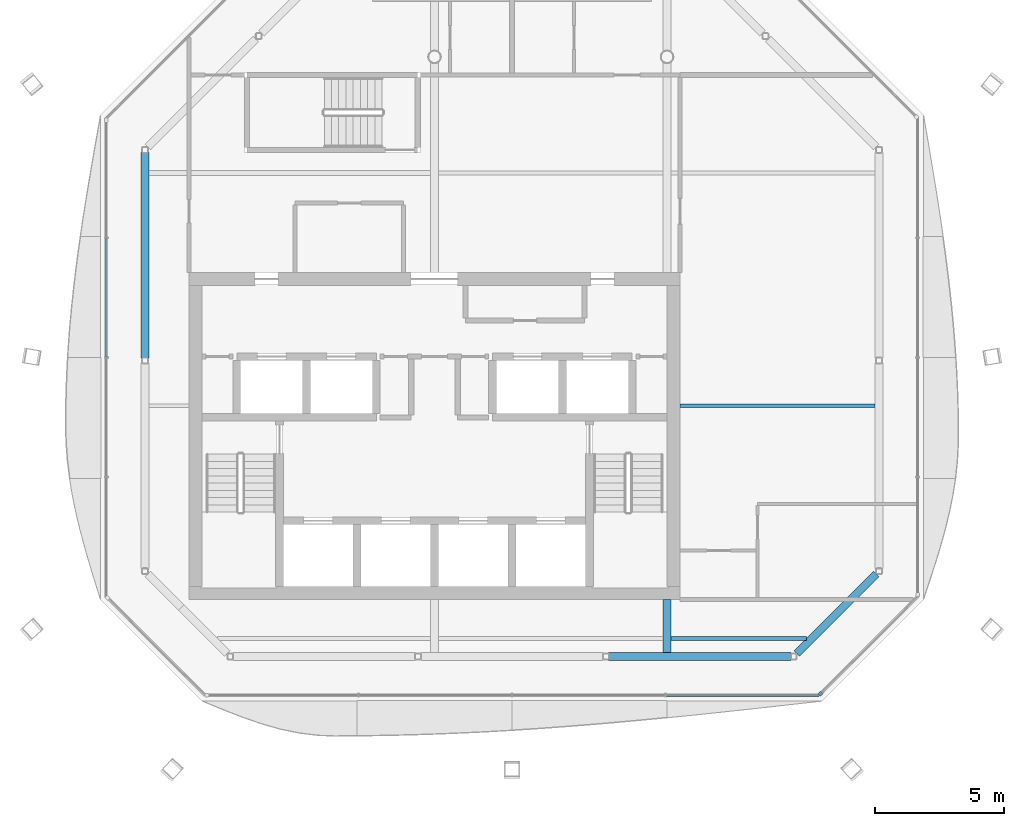
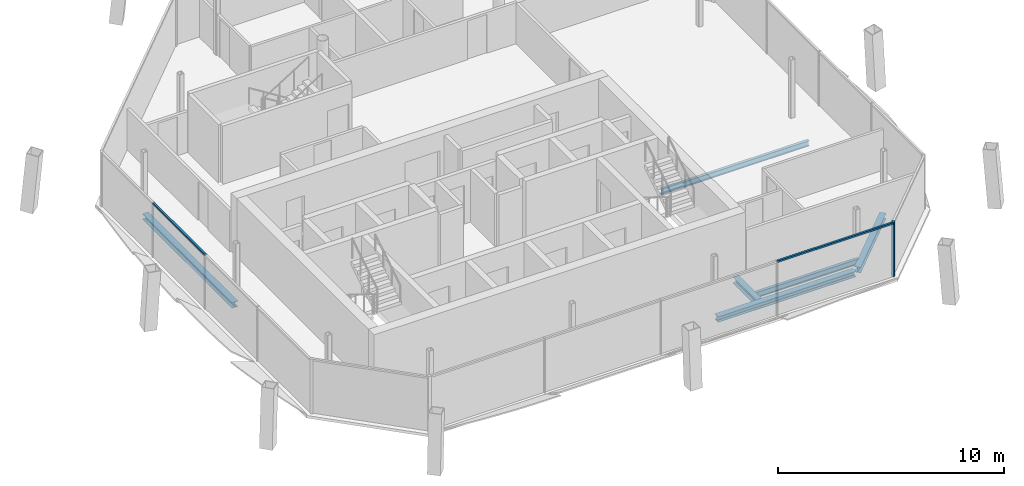
# One storey, part 4 of 13: 6 beams, 3 members, 3 elements without a shape of their own.
"""IFC4 building model written with IfcOpenShell, lengths in metres."""

from ifc_helpers import new_model, si_unit, direction, frame, origin, origin_2d, place, context, subcontext, project, spatial, rectangle, i_section, extrude, material, material_profile, profile_set, type_object, element, aggregate, save


model = new_model("IFC4")

# Units and contexts
model_context = context("Model", 3, precision=1e-05, world=origin(), true_north=direction((0.0, 1.0)))
body_context = subcontext(model_context, "Body", "Model", "MODEL_VIEW")
ifc_project = project(units=[si_unit("LENGTHUNIT", "METRE"), si_unit("AREAUNIT", "SQUARE_METRE"), si_unit("VOLUMEUNIT", "CUBIC_METRE"), si_unit("PLANEANGLEUNIT", "RADIAN"), si_unit("MASSUNIT", "GRAM", prefix="KILO")], contexts=[model_context])

# Site, building, storey
site_placement = place(None, origin())
site = spatial("IfcSite", under=ifc_project, at=site_placement, CompositionType="ELEMENT")
building_placement = place(site_placement, origin())
building = spatial("IfcBuilding", under=site, at=building_placement, Name="Tskaro Facet Tower", CompositionType="ELEMENT")
storey_placement = place(building_placement, frame((0.0, 0.0, 281.550048828125)))
storey = spatial("IfcBuildingStorey", under=building, at=storey_placement, Name="L75", CompositionType="ELEMENT", Elevation=281.550048828125)

# Curtain wall, member
ifc_material_1 = material(Name="Bronze anodised aluminium 6063-T6", Category="aluminium")
curtain_wall_type = type_object("IfcCurtainWallType", Name="Bronze residence curtain wall (FW3)", PredefinedType="NOTDEFINED", material=ifc_material_1)
curtain_wall_1_placement = place(storey_placement, origin())
curtain_wall_1 = element("IfcCurtainWall", 1, at=curtain_wall_1_placement, inside=storey, type_object=curtain_wall_type, Name="FW3 south-east facet L75", PredefinedType="NOTDEFINED")
ifc_material_profile_1 = material_profile(ifc_material_1, rectangle(XDim=0.139892578125, YDim=0.139892578125, at=origin_2d()), Name="Corner post 140x140")
ifc_profile_set_1 = profile_set([ifc_material_profile_1], Name="Bronze anodised aluminium 6063-T6")
member_type_1 = type_object("IfcMemberType", Name="FW3 bronze corner post 140x140", PredefinedType="MULLION", material=ifc_profile_set_1)
member_1_placement = place(storey_placement, frame((14.9365234375, -15.6484375, 0.0), z_axis=(0.0, 0.0, 1.0), x_axis=(0.707106781187, 0.707106781187, 0.0)))
member_1 = element("IfcMember", 2, at=member_1_placement, type_object=member_type_1, Name="FW3 south-east corner post", PredefinedType="MULLION", context=body_context, shape_type="SweptSolid", body=[
    extrude(rectangle(XDim=0.139892578125, YDim=0.139892578125, at=origin_2d()), origin(), (0.0, 0.0, 1.0), 2.949951171875),
])
aggregate(curtain_wall_1, [member_1])

curtain_wall_2_placement = place(storey_placement, origin())
curtain_wall_2 = element("IfcCurtainWall", 3, at=curtain_wall_2_placement, inside=storey, type_object=curtain_wall_type, Name="FW3 south facet L75", PredefinedType="NOTDEFINED")
ifc_material_profile_2 = material_profile(ifc_material_1, rectangle(XDim=0.10009765625, YDim=0.090087890625, at=origin_2d()), Name="Transom 100x90")
ifc_profile_set_2 = profile_set([ifc_material_profile_2], Name="Bronze anodised aluminium 6063-T6")
member_type_2 = type_object("IfcMemberType", Name="FW3 bronze transom 100x90", PredefinedType="USERDEFINED", material=ifc_profile_set_2)
member_2_placement = place(storey_placement, frame((8.968505859375, -15.697998046875, 2.905029296875), z_axis=(1.0, 0.0, 0.0), x_axis=(0.0, 1.0, 0.0)))
member_2 = element("IfcMember", 4, at=member_2_placement, type_object=member_type_2, Name="FW3 south transom 4.1", ObjectType="TRANSOM", PredefinedType="USERDEFINED", context=body_context, shape_type="SweptSolid", body=[
    extrude(rectangle(XDim=0.10009765625, YDim=0.090087890625, at=origin_2d()), origin(), (0.0, 0.0, 1.0), 5.91845703125),
])
aggregate(curtain_wall_2, [member_2])

curtain_wall_3_placement = place(storey_placement, origin())
curtain_wall_3 = element("IfcCurtainWall", 5, at=curtain_wall_3_placement, inside=storey, type_object=curtain_wall_type, Name="FW3 west facet L75", PredefinedType="NOTDEFINED")
member_3_placement = place(storey_placement, frame((-12.697998046875, 1.97265625, 2.905029296875), z_axis=(0.0, -1.0, 0.0), x_axis=(1.0, 0.0, 0.0)))
member_3 = element("IfcMember", 6, at=member_3_placement, type_object=member_type_2, Name="FW3 west transom 2.1", ObjectType="TRANSOM", PredefinedType="USERDEFINED", context=body_context, shape_type="SweptSolid", body=[
    extrude(rectangle(XDim=0.10009765625, YDim=0.090087890625, at=origin_2d()), origin(), (0.0, 0.0, 1.0), 4.578125),
])
aggregate(curtain_wall_3, [member_3])

# Beams
ifc_material_2 = material(Name="Steel S355J2", Category="steel")
ifc_material_profile_3 = material_profile(ifc_material_2, i_section(OverallWidth=0.300048828125, OverallDepth=0.300048828125, WebThickness=0.010986328125, FlangeThickness=0.01904296875, FilletRadius=0.027099609375, at=origin_2d()), Name="HE 300 B")
ifc_profile_set_3 = profile_set([ifc_material_profile_3], Name="Steel S355J2")
beam_type_1 = type_object("IfcBeamType", Name="HE 300 B ring beam", PredefinedType="BEAM", material=ifc_profile_set_3)
beam_1_placement = place(storey_placement, frame((6.739013671875, -14.199951171875, -0.2900390625), z_axis=(1.0, 0.0, 0.0), x_axis=(0.0, 1.0, 0.0)))
element("IfcBeam", 7, at=beam_1_placement, inside=storey, type_object=beam_type_1, Name="HE 300 B EB3-6", PredefinedType="BEAM", context=body_context, shape_type="SweptSolid", body=[
    extrude(i_section(OverallWidth=0.300048828125, OverallDepth=0.300048828125, WebThickness=0.010986328125, FlangeThickness=0.01904296875, FilletRadius=0.027099609375, at=origin_2d()), origin(), (0.0, 0.0, 1.0), 7.05908203125),
])
beam_2_placement = place(storey_placement, frame((14.013916015625, -14.089111328125, -0.2900390625), z_axis=(0.707106781187, 0.707106781187, 0.0), x_axis=(-0.707106781187, 0.707106781187, 0.0)))
element("IfcBeam", 8, at=beam_2_placement, inside=storey, type_object=beam_type_1, Name="HE 300 B EB4-6", PredefinedType="BEAM", context=body_context, shape_type="SweptSolid", body=[
    extrude(i_section(OverallWidth=0.300048828125, OverallDepth=0.300048828125, WebThickness=0.010986328125, FlangeThickness=0.01904296875, FilletRadius=0.027099609375, at=origin_2d()), origin(), (0.0, 0.0, 1.0), 4.348876953125),
])
beam_3_placement = place(storey_placement, frame((-11.199951171875, 5.298095703125, -0.2900390625), z_axis=(0.0, -1.0, 0.0), x_axis=(1.0, 0.0, 0.0)))
element("IfcBeam", 9, at=beam_3_placement, inside=storey, type_object=beam_type_1, Name="HE 300 B EB13-6", PredefinedType="BEAM", context=body_context, shape_type="SweptSolid", body=[
    extrude(i_section(OverallWidth=0.300048828125, OverallDepth=0.300048828125, WebThickness=0.010986328125, FlangeThickness=0.01904296875, FilletRadius=0.027099609375, at=origin_2d()), origin(), (0.0, 0.0, 1.0), 7.943115234375),
])
ifc_material_profile_4 = material_profile(ifc_material_2, i_section(OverallWidth=0.300048828125, OverallDepth=0.330078125, WebThickness=0.009521484375, FlangeThickness=0.0166015625, FilletRadius=0.027099609375, at=origin_2d()), Name="HE 340 A")
ifc_profile_set_4 = profile_set([ifc_material_profile_4], Name="Steel S355J2")
beam_type_2 = type_object("IfcBeamType", Name="HE 340 A girder", PredefinedType="BEAM", material=ifc_profile_set_4)
beam_4_placement = place(storey_placement, frame((9.0, -14.050048828125, -0.304931640625), z_axis=(0.0, 1.0, 0.0), x_axis=(-1.0, 0.0, 0.0)))
element("IfcBeam", 10, at=beam_4_placement, inside=storey, type_object=beam_type_2, Name="HE 340 A GB5-1-6", PredefinedType="BEAM", context=body_context, shape_type="SweptSolid", body=[
    extrude(i_section(OverallWidth=0.300048828125, OverallDepth=0.330078125, WebThickness=0.009521484375, FlangeThickness=0.0166015625, FilletRadius=0.027099609375, at=origin_2d()), origin(), (0.0, 0.0, 1.0), 2.050048828125),
])
ifc_material_profile_5 = material_profile(ifc_material_2, i_section(OverallWidth=0.14990234375, OverallDepth=0.300048828125, WebThickness=0.007080078125, FlangeThickness=0.0107421875, FilletRadius=0.014892578125, at=origin_2d()), Name="IPE 300")
ifc_profile_set_5 = profile_set([ifc_material_profile_5], Name="Steel S355J2")
beam_type_3 = type_object("IfcBeamType", Name="IPE 300 secondary beam", PredefinedType="BEAM", material=ifc_profile_set_5)
beam_5_placement = place(storey_placement, frame((9.14990234375, -13.5, -0.2900390625), z_axis=(1.0, 0.0, 0.0), x_axis=(0.0, 1.0, 0.0)))
element("IfcBeam", 11, at=beam_5_placement, inside=storey, type_object=beam_type_3, Name="IPE 300 SB2a-3-6", PredefinedType="BEAM", context=body_context, shape_type="SweptSolid", body=[
    extrude(i_section(OverallWidth=0.14990234375, OverallDepth=0.300048828125, WebThickness=0.007080078125, FlangeThickness=0.0107421875, FilletRadius=0.014892578125, at=origin_2d()), origin(), (0.0, 0.0, 1.0), 5.2412109375),
])
beam_6_placement = place(storey_placement, frame((9.5, -4.5, -0.2900390625), z_axis=(1.0, 0.0, 0.0), x_axis=(0.0, 1.0, 0.0)))
element("IfcBeam", 12, at=beam_6_placement, inside=storey, type_object=beam_type_3, Name="IPE 300 SB3a-2-6", PredefinedType="BEAM", context=body_context, shape_type="SweptSolid", body=[
    extrude(i_section(OverallWidth=0.14990234375, OverallDepth=0.300048828125, WebThickness=0.007080078125, FlangeThickness=0.0107421875, FilletRadius=0.014892578125, at=origin_2d()), origin(), (0.0, 0.0, 1.0), 7.550048828125),
])

save(model, "model.ifc")
